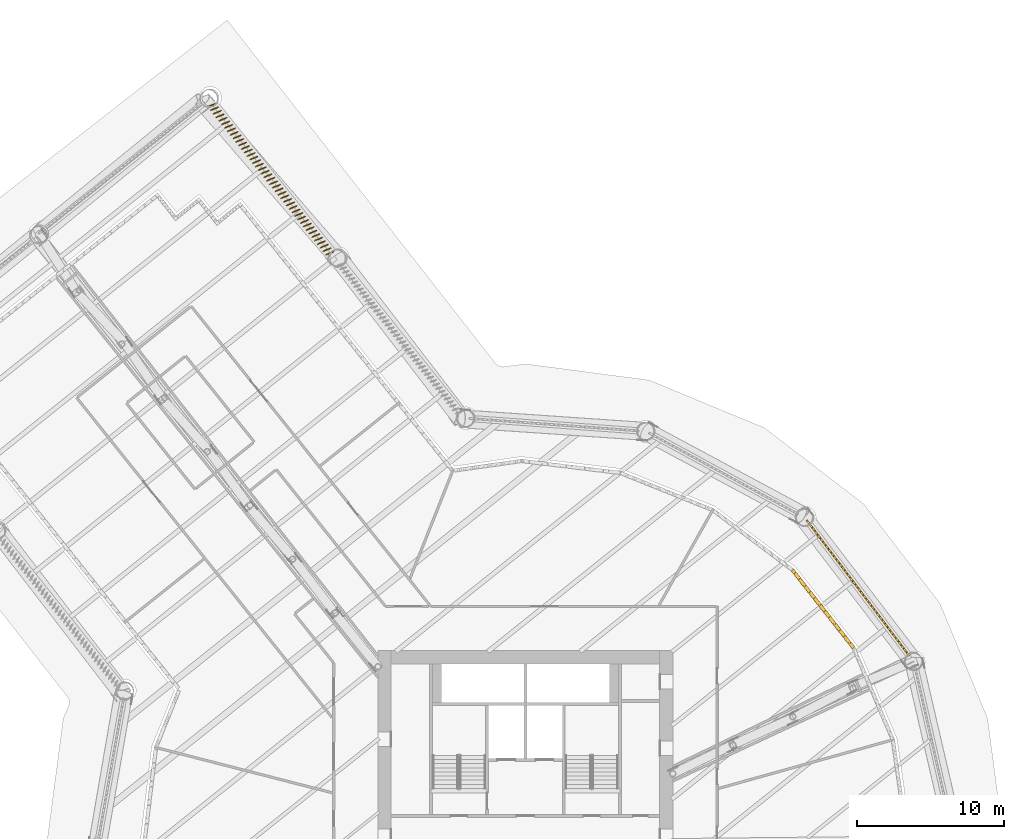
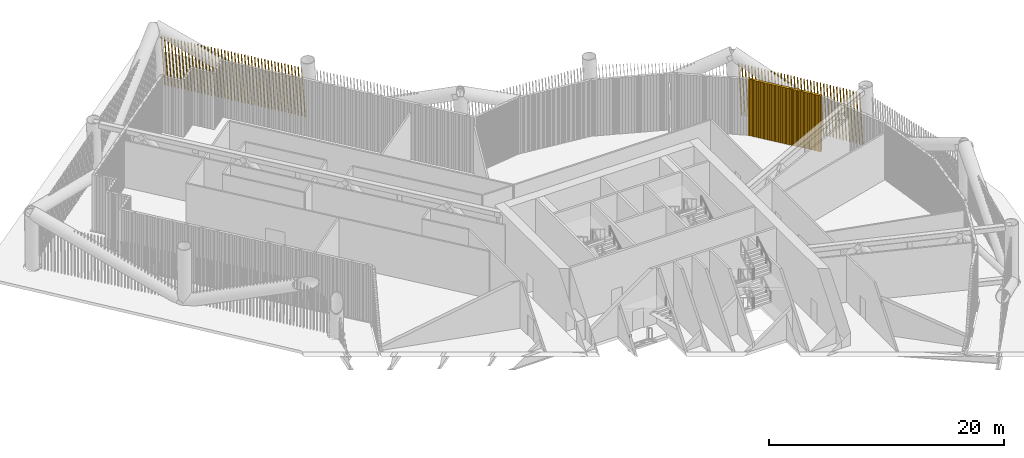
# One storey, part 48 of 48: 3 shading devices.
"""IFC4 building model written with IfcOpenShell, lengths in metres."""

from ifc_helpers import new_model, si_unit, direction, frame, frame_2d, origin, place, context, subcontext, project, spatial, rectangle, composite_profile, extrude, material, type_object, element, save


model = new_model("IFC4")

# Units and contexts
model_context = context("Model", 3, precision=1e-05, world=origin(), true_north=direction((0.0, 1.0)))
body_context = subcontext(model_context, "Body", "Model", "MODEL_VIEW")
ifc_project = project(units=[si_unit("LENGTHUNIT", "METRE"), si_unit("AREAUNIT", "SQUARE_METRE"), si_unit("VOLUMEUNIT", "CUBIC_METRE"), si_unit("PLANEANGLEUNIT", "RADIAN"), si_unit("MASSUNIT", "GRAM", prefix="KILO")], contexts=[model_context])

# Site, building, storey
site_placement = place(None, origin())
site = spatial("IfcSite", under=ifc_project, at=site_placement, CompositionType="ELEMENT")
building_placement = place(site_placement, origin())
building = spatial("IfcBuilding", under=site, at=building_placement, Name="Tarsis Ring Headquarters", CompositionType="ELEMENT")
storey_placement = place(building_placement, frame((0.0, 0.0, 34.0)))
storey = spatial("IfcBuildingStorey", under=building, at=storey_placement, Name="L06", CompositionType="ELEMENT", Elevation=34.0)

# Shading devices
ifc_material_1 = material(Name="Aluminium louvre", Category="aluminium")
shading_device_type_1 = type_object("IfcShadingDeviceType", Name="Plant louvre fin", PredefinedType="USERDEFINED", material=ifc_material_1)
shading_device_1_placement = place(storey_placement, frame((22.260498046875, 13.183837890625, 0.0), z_axis=(0.0, 0.0, 1.0), x_axis=(-0.617013548364, 0.786931095856, 0.0)))
element("IfcShadingDevice", 1, at=shading_device_1_placement, inside=storey, type_object=shading_device_type_1, Name="Louvre L06-26", ObjectType="Louvre", PredefinedType="USERDEFINED", context=body_context, shape_type="SweptSolid", body=[
    extrude(composite_profile([rectangle(XDim=0.1201171875, YDim=0.239990234375, at=frame_2d((0.076171875, 0.0), x_axis=(0.990268068742, 0.13917310096))), rectangle(XDim=0.1201171875, YDim=0.239990234375, at=frame_2d((0.202392578125, 0.0), x_axis=(0.990268068742, 0.13917310096))), rectangle(XDim=0.1201171875, YDim=0.239990234375, at=frame_2d((0.328857421875, 0.0), x_axis=(0.990268068742, 0.13917310096))), rectangle(XDim=0.1201171875, YDim=0.239990234375, at=frame_2d((0.455078125, 0.0), x_axis=(0.990268068742, 0.13917310096))), rectangle(XDim=0.1201171875, YDim=0.239990234375, at=frame_2d((0.58154296875, 0.0), x_axis=(0.990268068742, 0.13917310096))), rectangle(XDim=0.1201171875, YDim=0.239990234375, at=frame_2d((0.707763671875, 0.0), x_axis=(0.990268068742, 0.13917310096))), rectangle(XDim=0.1201171875, YDim=0.239990234375, at=frame_2d((0.834228515625, 0.0), x_axis=(0.990268068742, 0.13917310096))), rectangle(XDim=0.1201171875, YDim=0.239990234375, at=frame_2d((0.96044921875, 0.0), x_axis=(0.990268068742, 0.13917310096))), rectangle(XDim=0.1201171875, YDim=0.239990234375, at=frame_2d((1.0869140625, 0.0), x_axis=(0.990268068742, 0.13917310096))), rectangle(XDim=0.1201171875, YDim=0.239990234375, at=frame_2d((1.213134765625, 0.0), x_axis=(0.990268068742, 0.13917310096))), rectangle(XDim=0.1201171875, YDim=0.239990234375, at=frame_2d((1.33935546875, 0.0), x_axis=(0.990268068742, 0.13917310096))), rectangle(XDim=0.1201171875, YDim=0.239990234375, at=frame_2d((1.4658203125, 0.0), x_axis=(0.990268068742, 0.13917310096))), rectangle(XDim=0.1201171875, YDim=0.239990234375, at=frame_2d((1.592041015625, 0.0), x_axis=(0.990268068742, 0.13917310096))), rectangle(XDim=0.1201171875, YDim=0.239990234375, at=frame_2d((1.718505859375, 0.0), x_axis=(0.990268068742, 0.13917310096))), rectangle(XDim=0.1201171875, YDim=0.239990234375, at=frame_2d((1.8447265625, 0.0), x_axis=(0.990268068742, 0.13917310096))), rectangle(XDim=0.1201171875, YDim=0.239990234375, at=frame_2d((1.97119140625, 0.0), x_axis=(0.990268068742, 0.13917310096))), rectangle(XDim=0.1201171875, YDim=0.239990234375, at=frame_2d((2.097412109375, 0.0), x_axis=(0.990268068742, 0.13917310096))), rectangle(XDim=0.1201171875, YDim=0.239990234375, at=frame_2d((2.223876953125, 0.0), x_axis=(0.990268068742, 0.13917310096))), rectangle(XDim=0.1201171875, YDim=0.239990234375, at=frame_2d((2.35009765625, 0.0), x_axis=(0.990268068742, 0.13917310096))), rectangle(XDim=0.1201171875, YDim=0.239990234375, at=frame_2d((2.476318359375, 0.0), x_axis=(0.990268068742, 0.13917310096))), rectangle(XDim=0.1201171875, YDim=0.239990234375, at=frame_2d((2.602783203125, 0.0), x_axis=(0.990268068742, 0.13917310096))), rectangle(XDim=0.1201171875, YDim=0.239990234375, at=frame_2d((2.72900390625, 0.0), x_axis=(0.990268068742, 0.13917310096))), rectangle(XDim=0.1201171875, YDim=0.239990234375, at=frame_2d((2.85546875, 0.0), x_axis=(0.990268068742, 0.13917310096))), rectangle(XDim=0.1201171875, YDim=0.239990234375, at=frame_2d((2.981689453125, 0.0), x_axis=(0.990268068742, 0.13917310096))), rectangle(XDim=0.1201171875, YDim=0.239990234375, at=frame_2d((3.108154296875, 0.0), x_axis=(0.990268068742, 0.13917310096))), rectangle(XDim=0.1201171875, YDim=0.239990234375, at=frame_2d((3.234375, 0.0), x_axis=(0.990268068742, 0.13917310096))), rectangle(XDim=0.1201171875, YDim=0.239990234375, at=frame_2d((3.36083984375, 0.0), x_axis=(0.990268068742, 0.13917310096))), rectangle(XDim=0.1201171875, YDim=0.239990234375, at=frame_2d((3.487060546875, 0.0), x_axis=(0.990268068742, 0.13917310096))), rectangle(XDim=0.1201171875, YDim=0.239990234375, at=frame_2d((3.61328125, 0.0), x_axis=(0.990268068742, 0.13917310096))), rectangle(XDim=0.1201171875, YDim=0.239990234375, at=frame_2d((3.73974609375, 0.0), x_axis=(0.990268068742, 0.13917310096))), rectangle(XDim=0.1201171875, YDim=0.239990234375, at=frame_2d((3.865966796875, 0.0), x_axis=(0.990268068742, 0.13917310096))), rectangle(XDim=0.1201171875, YDim=0.239990234375, at=frame_2d((3.992431640625, 0.0), x_axis=(0.990268068742, 0.13917310096))), rectangle(XDim=0.1201171875, YDim=0.239990234375, at=frame_2d((4.11865234375, 0.0), x_axis=(0.990268068742, 0.13917310096))), rectangle(XDim=0.1201171875, YDim=0.239990234375, at=frame_2d((4.2451171875, 0.0), x_axis=(0.990268068742, 0.13917310096))), rectangle(XDim=0.1201171875, YDim=0.239990234375, at=frame_2d((4.371337890625, 0.0), x_axis=(0.990268068742, 0.13917310096))), rectangle(XDim=0.1201171875, YDim=0.239990234375, at=frame_2d((4.49755859375, 0.0), x_axis=(0.990268068742, 0.13917310096))), rectangle(XDim=0.1201171875, YDim=0.239990234375, at=frame_2d((4.6240234375, 0.0), x_axis=(0.990268068742, 0.13917310096))), rectangle(XDim=0.1201171875, YDim=0.239990234375, at=frame_2d((4.750244140625, 0.0), x_axis=(0.990268068742, 0.13917310096))), rectangle(XDim=0.1201171875, YDim=0.239990234375, at=frame_2d((4.876708984375, 0.0), x_axis=(0.990268068742, 0.13917310096))), rectangle(XDim=0.1201171875, YDim=0.239990234375, at=frame_2d((5.0029296875, 0.0), x_axis=(0.990268068742, 0.13917310096))), rectangle(XDim=0.1201171875, YDim=0.239990234375, at=frame_2d((5.12939453125, 0.0), x_axis=(0.990268068742, 0.13917310096))), rectangle(XDim=0.1201171875, YDim=0.239990234375, at=frame_2d((5.255615234375, 0.0), x_axis=(0.990268068742, 0.13917310096))), rectangle(XDim=0.1201171875, YDim=0.239990234375, at=frame_2d((5.382080078125, 0.0), x_axis=(0.990268068742, 0.13917310096))), rectangle(XDim=0.1201171875, YDim=0.239990234375, at=frame_2d((5.50830078125, 0.0), x_axis=(0.990268068742, 0.13917310096))), rectangle(XDim=0.1201171875, YDim=0.239990234375, at=frame_2d((5.634521484375, 0.0), x_axis=(0.990268068742, 0.13917310096))), rectangle(XDim=0.1201171875, YDim=0.239990234375, at=frame_2d((5.760986328125, 0.0), x_axis=(0.990268068742, 0.13917310096))), rectangle(XDim=0.1201171875, YDim=0.239990234375, at=frame_2d((5.88720703125, 0.0), x_axis=(0.990268068742, 0.13917310096))), rectangle(XDim=0.1201171875, YDim=0.239990234375, at=frame_2d((6.013671875, 0.0), x_axis=(0.990268068742, 0.13917310096))), rectangle(XDim=0.1201171875, YDim=0.239990234375, at=frame_2d((6.139892578125, 0.0), x_axis=(0.990268068742, 0.13917310096))), rectangle(XDim=0.1201171875, YDim=0.239990234375, at=frame_2d((6.266357421875, 0.0), x_axis=(0.990268068742, 0.13917310096))), rectangle(XDim=0.1201171875, YDim=0.239990234375, at=frame_2d((6.392578125, 0.0), x_axis=(0.990268068742, 0.13917310096))), rectangle(XDim=0.1201171875, YDim=0.239990234375, at=frame_2d((6.51904296875, 0.0), x_axis=(0.990268068742, 0.13917310096))), rectangle(XDim=0.1201171875, YDim=0.239990234375, at=frame_2d((6.645263671875, 0.0), x_axis=(0.990268068742, 0.13917310096)))]), origin(), (0.0, 0.0, 1.0), 5.840087890625),
])
ifc_material_2 = material(Name="Terracotta baguette", Category="masonry")
shading_device_type_2 = type_object("IfcShadingDeviceType", Name="Terracotta baguette screen", PredefinedType="USERDEFINED", material=ifc_material_2)
shading_device_2_placement = place(storey_placement, frame((26.03759765625, 12.648681640625, -0.300048828125), z_axis=(0.0, 0.0, 1.0), x_axis=(-0.603407487792, 0.79743895822, 0.0)))
element("IfcShadingDevice", 2, at=shading_device_2_placement, inside=storey, type_object=shading_device_type_2, Name="Baguette screen L06-12", ObjectType="Terracotta baguette screen", PredefinedType="USERDEFINED", context=body_context, shape_type="SweptSolid", body=[
    extrude(composite_profile([rectangle(XDim=0.06005859375, YDim=0.1201171875, at=frame_2d((0.030029296875, 0.0))), rectangle(XDim=0.06005859375, YDim=0.1201171875, at=frame_2d((0.33251953125, 0.0))), rectangle(XDim=0.06005859375, YDim=0.1201171875, at=frame_2d((0.634765625, 0.0))), rectangle(XDim=0.06005859375, YDim=0.1201171875, at=frame_2d((0.937255859375, 0.0))), rectangle(XDim=0.06005859375, YDim=0.1201171875, at=frame_2d((1.239501953125, 0.0))), rectangle(XDim=0.06005859375, YDim=0.1201171875, at=frame_2d((1.5419921875, 0.0))), rectangle(XDim=0.06005859375, YDim=0.1201171875, at=frame_2d((1.844482421875, 0.0))), rectangle(XDim=0.06005859375, YDim=0.1201171875, at=frame_2d((2.146728515625, 0.0))), rectangle(XDim=0.06005859375, YDim=0.1201171875, at=frame_2d((2.44921875, 0.0))), rectangle(XDim=0.06005859375, YDim=0.1201171875, at=frame_2d((2.751708984375, 0.0))), rectangle(XDim=0.06005859375, YDim=0.1201171875, at=frame_2d((3.053955078125, 0.0))), rectangle(XDim=0.06005859375, YDim=0.1201171875, at=frame_2d((3.3564453125, 0.0))), rectangle(XDim=0.06005859375, YDim=0.1201171875, at=frame_2d((3.65869140625, 0.0))), rectangle(XDim=0.06005859375, YDim=0.1201171875, at=frame_2d((3.961181640625, 0.0))), rectangle(XDim=0.06005859375, YDim=0.1201171875, at=frame_2d((4.263671875, 0.0))), rectangle(XDim=0.06005859375, YDim=0.1201171875, at=frame_2d((4.56591796875, 0.0))), rectangle(XDim=0.06005859375, YDim=0.1201171875, at=frame_2d((4.868408203125, 0.0))), rectangle(XDim=0.06005859375, YDim=0.1201171875, at=frame_2d((5.1708984375, 0.0))), rectangle(XDim=0.06005859375, YDim=0.1201171875, at=frame_2d((5.47314453125, 0.0))), rectangle(XDim=0.06005859375, YDim=0.1201171875, at=frame_2d((5.775634765625, 0.0))), rectangle(XDim=0.06005859375, YDim=0.1201171875, at=frame_2d((6.077880859375, 0.0))), rectangle(XDim=0.06005859375, YDim=0.1201171875, at=frame_2d((6.38037109375, 0.0))), rectangle(XDim=0.06005859375, YDim=0.1201171875, at=frame_2d((6.682861328125, 0.0))), rectangle(XDim=0.06005859375, YDim=0.1201171875, at=frame_2d((6.985107421875, 0.0))), rectangle(XDim=0.06005859375, YDim=0.1201171875, at=frame_2d((7.28759765625, 0.0))), rectangle(XDim=0.06005859375, YDim=0.1201171875, at=frame_2d((7.590087890625, 0.0))), rectangle(XDim=0.06005859375, YDim=0.1201171875, at=frame_2d((7.892333984375, 0.0))), rectangle(XDim=0.06005859375, YDim=0.1201171875, at=frame_2d((8.19482421875, 0.0))), rectangle(XDim=0.06005859375, YDim=0.1201171875, at=frame_2d((8.4970703125, 0.0))), rectangle(XDim=0.06005859375, YDim=0.1201171875, at=frame_2d((8.799560546875, 0.0))), rectangle(XDim=0.06005859375, YDim=0.1201171875, at=frame_2d((9.10205078125, 0.0))), rectangle(XDim=0.06005859375, YDim=0.1201171875, at=frame_2d((9.404296875, 0.0))), rectangle(XDim=0.06005859375, YDim=0.1201171875, at=frame_2d((9.706787109375, 0.0))), rectangle(XDim=0.06005859375, YDim=0.1201171875, at=frame_2d((10.00927734375, 0.0))), rectangle(XDim=0.06005859375, YDim=0.1201171875, at=frame_2d((10.3115234375, 0.0))), rectangle(XDim=0.06005859375, YDim=0.1201171875, at=frame_2d((10.614013671875, 0.0))), rectangle(XDim=0.06005859375, YDim=0.1201171875, at=frame_2d((10.916259765625, 0.0))), rectangle(XDim=0.06005859375, YDim=0.1201171875, at=frame_2d((11.21875, 0.0)))]), origin(), (0.055468280317, 0.000290092943, 0.99846040769), 5.36083984375),
])
shading_device_3_placement = place(storey_placement, frame((-13.012939453125, 40.023681640625, -0.300048828125), z_axis=(0.0, 0.0, 1.0), x_axis=(-0.623883590675, 0.781505449591, 0.0)))
element("IfcShadingDevice", 3, at=shading_device_3_placement, inside=storey, type_object=shading_device_type_2, Name="Baguette screen L06-16", ObjectType="Terracotta baguette screen", PredefinedType="USERDEFINED", context=body_context, shape_type="SweptSolid", body=[
    extrude(composite_profile([rectangle(XDim=0.06005859375, YDim=0.1201171875, at=frame_2d((0.030029296875, 0.0))), rectangle(XDim=0.06005859375, YDim=0.1201171875, at=frame_2d((0.335693359375, 0.0))), rectangle(XDim=0.06005859375, YDim=0.1201171875, at=frame_2d((0.6416015625, 0.0))), rectangle(XDim=0.06005859375, YDim=0.1201171875, at=frame_2d((0.947265625, 0.0))), rectangle(XDim=0.06005859375, YDim=0.1201171875, at=frame_2d((1.253173828125, 0.0))), rectangle(XDim=0.06005859375, YDim=0.1201171875, at=frame_2d((1.558837890625, 0.0))), rectangle(XDim=0.06005859375, YDim=0.1201171875, at=frame_2d((1.864501953125, 0.0))), rectangle(XDim=0.06005859375, YDim=0.1201171875, at=frame_2d((2.17041015625, 0.0))), rectangle(XDim=0.06005859375, YDim=0.1201171875, at=frame_2d((2.47607421875, 0.0))), rectangle(XDim=0.06005859375, YDim=0.1201171875, at=frame_2d((2.781982421875, 0.0))), rectangle(XDim=0.06005859375, YDim=0.1201171875, at=frame_2d((3.087646484375, 0.0))), rectangle(XDim=0.06005859375, YDim=0.1201171875, at=frame_2d((3.393310546875, 0.0))), rectangle(XDim=0.06005859375, YDim=0.1201171875, at=frame_2d((3.69921875, 0.0))), rectangle(XDim=0.06005859375, YDim=0.1201171875, at=frame_2d((4.0048828125, 0.0))), rectangle(XDim=0.06005859375, YDim=0.1201171875, at=frame_2d((4.310791015625, 0.0))), rectangle(XDim=0.06005859375, YDim=0.1201171875, at=frame_2d((4.616455078125, 0.0))), rectangle(XDim=0.06005859375, YDim=0.1201171875, at=frame_2d((4.922119140625, 0.0))), rectangle(XDim=0.06005859375, YDim=0.1201171875, at=frame_2d((5.22802734375, 0.0))), rectangle(XDim=0.06005859375, YDim=0.1201171875, at=frame_2d((5.53369140625, 0.0))), rectangle(XDim=0.06005859375, YDim=0.1201171875, at=frame_2d((5.839599609375, 0.0))), rectangle(XDim=0.06005859375, YDim=0.1201171875, at=frame_2d((6.145263671875, 0.0))), rectangle(XDim=0.06005859375, YDim=0.1201171875, at=frame_2d((6.451171875, 0.0))), rectangle(XDim=0.06005859375, YDim=0.1201171875, at=frame_2d((6.7568359375, 0.0))), rectangle(XDim=0.06005859375, YDim=0.1201171875, at=frame_2d((7.0625, 0.0))), rectangle(XDim=0.06005859375, YDim=0.1201171875, at=frame_2d((7.368408203125, 0.0))), rectangle(XDim=0.06005859375, YDim=0.1201171875, at=frame_2d((7.674072265625, 0.0))), rectangle(XDim=0.06005859375, YDim=0.1201171875, at=frame_2d((7.97998046875, 0.0))), rectangle(XDim=0.06005859375, YDim=0.1201171875, at=frame_2d((8.28564453125, 0.0))), rectangle(XDim=0.06005859375, YDim=0.1201171875, at=frame_2d((8.59130859375, 0.0))), rectangle(XDim=0.06005859375, YDim=0.1201171875, at=frame_2d((8.897216796875, 0.0))), rectangle(XDim=0.06005859375, YDim=0.1201171875, at=frame_2d((9.202880859375, 0.0))), rectangle(XDim=0.06005859375, YDim=0.1201171875, at=frame_2d((9.5087890625, 0.0))), rectangle(XDim=0.06005859375, YDim=0.1201171875, at=frame_2d((9.814453125, 0.0))), rectangle(XDim=0.06005859375, YDim=0.1201171875, at=frame_2d((10.1201171875, 0.0))), rectangle(XDim=0.06005859375, YDim=0.1201171875, at=frame_2d((10.426025390625, 0.0))), rectangle(XDim=0.06005859375, YDim=0.1201171875, at=frame_2d((10.731689453125, 0.0))), rectangle(XDim=0.06005859375, YDim=0.1201171875, at=frame_2d((11.03759765625, 0.0))), rectangle(XDim=0.06005859375, YDim=0.1201171875, at=frame_2d((11.34326171875, 0.0))), rectangle(XDim=0.06005859375, YDim=0.1201171875, at=frame_2d((11.64892578125, 0.0))), rectangle(XDim=0.06005859375, YDim=0.1201171875, at=frame_2d((11.954833984375, 0.0))), rectangle(XDim=0.06005859375, YDim=0.1201171875, at=frame_2d((12.260498046875, 0.0))), rectangle(XDim=0.06005859375, YDim=0.1201171875, at=frame_2d((12.56640625, 0.0))), rectangle(XDim=0.06005859375, YDim=0.1201171875, at=frame_2d((12.8720703125, 0.0)))]), origin(), (0.028360457495, 0.08945343247, 0.995587147301), 5.376220703125),
])

save(model, "model.ifc")
